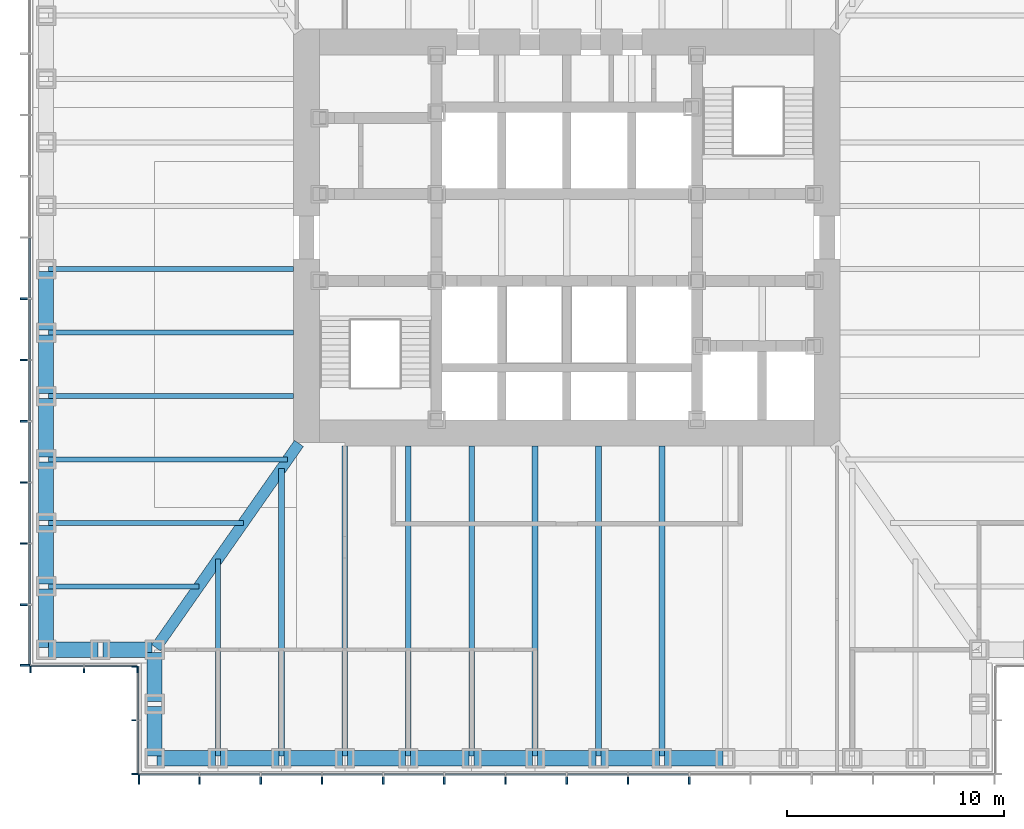
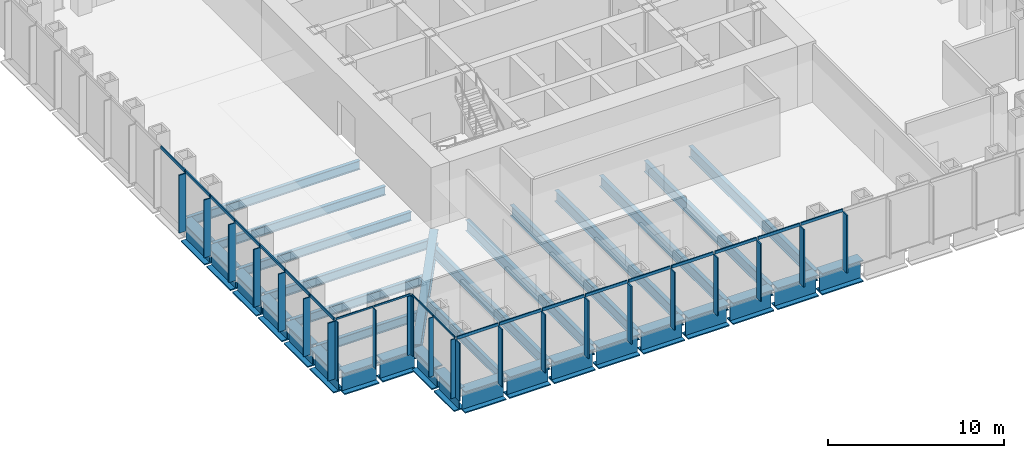
# One storey, part 2 of 16: 43 members, 34 beams, 4 elements without a shape of their own.
"""IFC4 building model written with IfcOpenShell, lengths in metres."""

import ifcopenshell
import ifcopenshell.guid

model = None  # the IFC model being written
_history = None  # IfcOwnerHistory: only IFC2X3 demands one
_inside = {}  # id of a spatial element -> (the spatial element, [elements in it])
_under = {}  # id of a project, library or spatial element -> (it, [spatial elements below it])
_declared = {}  # id of a project -> (the project, [libraries it declares])
_typed = {}  # id of a type object -> (the type object, [elements of that type])
_made_of = {}  # id of a material, layer set ... -> (it, [elements and type objects made of it])


def new_model(schema):
    """Start an empty IFC model of exactly this schema.

    Asked for "IFC4X3", IfcOpenShell would pick the latest addendum, in which some entities
    have other attributes; the version numbers below select the first issue.
    IFC2X3 requires an IfcOwnerHistory on every rooted entity: one is made here for all.
    """
    global model, _history
    if schema == "IFC4X3":
        model = ifcopenshell.file(schema_version=(4, 3, 0, 0))
    else:
        model = ifcopenshell.file(schema=schema)
    _inside.clear()
    _under.clear()
    _declared.clear()
    _typed.clear()
    _made_of.clear()
    _history = None
    if model.schema == "IFC2X3":
        org = make("IfcOrganization", Name="unknown")
        user = make(
            "IfcPersonAndOrganization",
            ThePerson=make("IfcPerson", FamilyName="unknown"),
            TheOrganization=org,
        )
        app = make(
            "IfcApplication",
            ApplicationDeveloper=org,
            Version="unknown",
            ApplicationFullName="unknown",
            ApplicationIdentifier="unknown",
        )
        _history = make(
            "IfcOwnerHistory",
            OwningUser=user,
            OwningApplication=app,
            ChangeAction="ADDED",
            CreationDate=0,
        )
    return model


def make(cls, **values):
    """One entity of the class cls with the attributes given. An attribute that is None is left unset."""
    return model.create_entity(
        cls, **{name: value for name, value in values.items() if value is not None}
    )


def rooted(cls, **values):
    """An entity with a GlobalId (a new one), such as an element, a storey or a relation."""
    return make(cls, GlobalId=ifcopenshell.guid.new(), OwnerHistory=_history, **values)


def si_unit(unit_type, name, prefix=None):
    """IfcSIUnit, for example si_unit("LENGTHUNIT", "METRE", prefix="MILLI")."""
    return make("IfcSIUnit", UnitType=unit_type, Prefix=prefix, Name=name)


def assignment(units):
    """IfcUnitAssignment: the units of a project."""
    return None if units is None else make("IfcUnitAssignment", Units=units)


def point(xyz):
    """IfcCartesianPoint."""
    return None if xyz is None else make("IfcCartesianPoint", Coordinates=xyz)


def direction(xyz):
    """IfcDirection."""
    return None if xyz is None else make("IfcDirection", DirectionRatios=xyz)


def frame(location, z_axis=None, x_axis=None):
    """IfcAxis2Placement3D, a coordinate frame: its origin and axes. An axis left out is left unset."""
    return make(
        "IfcAxis2Placement3D",
        Location=point(location),
        Axis=direction(z_axis),
        RefDirection=direction(x_axis),
    )


def frame_2d(location, x_axis=None):
    """IfcAxis2Placement2D, a coordinate frame in the plane: its origin and x axis."""
    return make(
        "IfcAxis2Placement2D", Location=point(location), RefDirection=direction(x_axis)
    )


def origin():
    """The frame at (0, 0, 0) with its axes left unset."""
    return frame((0.0, 0.0, 0.0))


def origin_2d():
    """The frame at (0, 0) in the plane with its x axis left unset."""
    return frame_2d((0.0, 0.0))


def place(relative_to, where):
    """IfcLocalPlacement: puts the frame where relative to a parent placement (None: the world)."""
    return make(
        "IfcLocalPlacement", PlacementRelTo=relative_to, RelativePlacement=where
    )


def context(
    kind, dimensions, precision=None, world=None, true_north=None, identifier=None
):
    """IfcGeometricRepresentationContext, for example the 3D "Model" context."""
    return make(
        "IfcGeometricRepresentationContext",
        ContextIdentifier=identifier,
        ContextType=kind,
        CoordinateSpaceDimension=dimensions,
        Precision=precision,
        WorldCoordinateSystem=world,
        TrueNorth=true_north,
    )


def subcontext(parent, identifier, kind, view, scale=None):
    """IfcGeometricRepresentationSubContext, for example "Body" below "Model"."""
    return make(
        "IfcGeometricRepresentationSubContext",
        ContextIdentifier=identifier,
        ContextType=kind,
        ParentContext=parent,
        TargetScale=scale,
        TargetView=view,
    )


def project(units=None, contexts=None):
    """IfcProject with its units and contexts."""
    return rooted(
        "IfcProject",
        Name="project",
        RepresentationContexts=contexts,
        UnitsInContext=assignment(units),
    )


def spatial(cls, under=None, at=None, **own):
    """A site, building, storey or space (cls), placed at a placement, below another one or the project."""
    s = rooted(cls, ObjectPlacement=at, **own)
    if under is not None:
        _under.setdefault(under.id(), (under, []))[1].append(s)
    return s


def profile(cls, at=None, kind="AREA", **sizes):
    """A parametric profile (cls). Its sizes go by their IFC names, for example OverallWidth=200.0."""
    return make(cls, ProfileType=kind, Position=at, **sizes)


def rectangle(**sizes):
    """IfcRectangleProfileDef."""
    return profile("IfcRectangleProfileDef", **sizes)


def i_section(**sizes):
    """IfcIShapeProfileDef."""
    return profile("IfcIShapeProfileDef", **sizes)


def extrude(swept, where, along, depth):
    """IfcExtrudedAreaSolid: the profile swept, set in the frame where, extruded along a direction by depth."""
    return make(
        "IfcExtrudedAreaSolid",
        SweptArea=swept,
        Position=where,
        ExtrudedDirection=direction(along),
        Depth=depth,
    )


def shape(context_of_items, identifier, shape_type, items):
    """IfcShapeRepresentation: the items that make up one representation, for example the "Body"."""
    return make(
        "IfcShapeRepresentation",
        ContextOfItems=context_of_items,
        RepresentationIdentifier=identifier,
        RepresentationType=shape_type,
        Items=items,
    )


def material(Name=None, Category=None):
    """IfcMaterial."""
    return make("IfcMaterial", Name=Name, Category=Category)


def material_profile(
    of_material, cross_section, Name=None, Category=None, Priority=None
):
    """IfcMaterialProfile: a cross section and its material."""
    return make(
        "IfcMaterialProfile",
        Name=Name,
        Material=of_material,
        Profile=cross_section,
        Priority=Priority,
        Category=Category,
    )


def profile_set(profiles, Name=None, composite=None):
    """IfcMaterialProfileSet."""
    return make(
        "IfcMaterialProfileSet",
        Name=Name,
        MaterialProfiles=profiles,
        CompositeProfile=composite,
    )


def made_of(thing, what):
    """Note that an element or type object is made of a material, layer set ...; save() writes the relation."""
    if what is not None:
        _made_of.setdefault(what.id(), (what, []))[1].append(thing)
    return thing


def type_object(cls, material=None, **own):
    """A type object (cls), such as IfcWallType, which elements share."""
    return made_of(rooted(cls, **own), material)


def element(
    cls,
    number,
    at=None,
    inside=None,
    cuts=None,
    type_object=None,
    material=None,
    context=None,
    identifier="Body",
    shape_type=None,
    held_by="IfcProductDefinitionShape",
    body=None,
    shapes=None,
    **own,
):
    """One element of the class cls, such as IfcWall. Its Tag is "e" and its number.

    at: its placement. inside: the storey or other place that contains it. cuts: it is an
    opening in that element (IfcRelVoidsElement). A single representation is given by context,
    identifier, shape_type and body (its items); several are given by shapes. held_by: the class
    of the entity that holds the representations. save() writes the other relations.
    """
    e = rooted(cls, Tag="e%d" % number, ObjectPlacement=at, **own)
    if body is not None:
        shapes = [shape(context, identifier, shape_type, body)]
    if shapes is not None:
        e.Representation = make(held_by, Representations=shapes)
    if inside is not None:
        _inside.setdefault(inside.id(), (inside, []))[1].append(e)
    if cuts is not None:
        rooted(
            "IfcRelVoidsElement", RelatingBuildingElement=cuts, RelatedOpeningElement=e
        )
    if type_object is not None:
        _typed.setdefault(type_object.id(), (type_object, []))[1].append(e)
    return made_of(e, material)


def aggregate(whole, parts):
    """IfcRelAggregates: a whole, such as a stair, and the parts it consists of."""
    return rooted("IfcRelAggregates", RelatingObject=whole, RelatedObjects=parts)


def save(model, path):
    """Write the relations noted so far, then the file.

    IfcRelAggregates (storeys below a building ...), IfcRelContainedInSpatialStructure (elements
    in a storey), IfcRelDefinesByType, IfcRelAssociatesMaterial and IfcRelDeclares: one each for
    every whole, place, type object, material and project.
    """
    for whole, parts in _under.values():
        aggregate(whole, parts)
    for where, things in _inside.values():
        rooted(
            "IfcRelContainedInSpatialStructure",
            RelatedElements=things,
            RelatingStructure=where,
        )
    for kind, things in _typed.values():
        rooted("IfcRelDefinesByType", RelatedObjects=things, RelatingType=kind)
    for what, things in _made_of.values():
        rooted("IfcRelAssociatesMaterial", RelatedObjects=things, RelatingMaterial=what)
    for by, libraries in _declared.values():
        rooted("IfcRelDeclares", RelatingContext=by, RelatedDefinitions=libraries)
    model.write(path)


model = new_model("IFC4")

# Units and contexts
model_context = context("Model", 3, precision=1e-05, world=origin(), true_north=direction((0.0, 1.0)))
body_context = subcontext(model_context, "Body", "Model", "MODEL_VIEW")
ifc_project = project(units=[si_unit("LENGTHUNIT", "METRE"), si_unit("AREAUNIT", "SQUARE_METRE"), si_unit("VOLUMEUNIT", "CUBIC_METRE"), si_unit("PLANEANGLEUNIT", "RADIAN"), si_unit("MASSUNIT", "GRAM", prefix="KILO")], contexts=[model_context])

# Site, building, storey
site_placement = place(None, origin())
site = spatial("IfcSite", under=ifc_project, at=site_placement, CompositionType="ELEMENT")
building_placement = place(site_placement, origin())
building = spatial("IfcBuilding", under=site, at=building_placement, Name="Daluyong Arena Tower", CompositionType="ELEMENT")
storey_placement = place(building_placement, frame((0.0, 0.0, 93.699951171875)))
storey = spatial("IfcBuildingStorey", under=building, at=storey_placement, Name="L20", CompositionType="ELEMENT", Elevation=93.699951171875)

# Curtain wall, members
ifc_material_1 = material(Name="Bronze anodised aluminium and glass", Category="aluminium")
curtain_wall_type_1 = type_object("IfcCurtainWallType", Name="Curtain wall CW1", PredefinedType="USERDEFINED", material=ifc_material_1)
curtain_wall_1_placement = place(storey_placement, origin())
curtain_wall_1 = element("IfcCurtainWall", 1, at=curtain_wall_1_placement, inside=storey, type_object=curtain_wall_type_1, Name="curtain wall L20 S", ObjectType="UNITISED CURTAIN WALL", PredefinedType="USERDEFINED")
ifc_material_2 = material(Name="Bronze anodised aluminium fin", Category="aluminium")
ifc_material_profile_1 = material_profile(ifc_material_2, rectangle(XDim=0.449951171875, YDim=0.080078125, at=origin_2d()))
ifc_profile_set_1 = profile_set([ifc_material_profile_1], Name="Bronze anodised aluminium fin")
member_type_1 = type_object("IfcMemberType", Name="CW1 bronze fin 450x80", PredefinedType="MULLION", material=ifc_profile_set_1)
member_1_placement = place(storey_placement, frame((36.2900390625, 55.02490234375, 0.0), z_axis=(0.0, 0.0, 1.0), x_axis=(0.0, 1.0, 0.0)))
member_1 = element("IfcMember", 2, at=member_1_placement, type_object=member_type_1, Name="curtain wall L20 S fin 1", PredefinedType="MULLION", context=body_context, shape_type="SweptSolid", body=[
    extrude(rectangle(XDim=0.449951171875, YDim=0.080078125, at=origin_2d()), origin(), (0.0, 0.0, 1.0), 4.0),
])
member_2_placement = place(storey_placement, frame((39.071533203125, 55.02490234375, 0.0), z_axis=(0.0, 0.0, 1.0), x_axis=(0.0, 1.0, 0.0)))
member_2 = element("IfcMember", 3, at=member_2_placement, type_object=member_type_1, Name="curtain wall L20 S fin 2", PredefinedType="MULLION", context=body_context, shape_type="SweptSolid", body=[
    extrude(rectangle(XDim=0.449951171875, YDim=0.080078125, at=origin_2d()), origin(), (0.0, 0.0, 1.0), 4.0),
])
member_3_placement = place(storey_placement, frame((41.892822265625, 55.02490234375, 0.0), z_axis=(0.0, 0.0, 1.0), x_axis=(0.0, 1.0, 0.0)))
member_3 = element("IfcMember", 4, at=member_3_placement, type_object=member_type_1, Name="curtain wall L20 S fin 3", PredefinedType="MULLION", context=body_context, shape_type="SweptSolid", body=[
    extrude(rectangle(XDim=0.449951171875, YDim=0.080078125, at=origin_2d()), origin(), (0.0, 0.0, 1.0), 4.0),
])
member_4_placement = place(storey_placement, frame((44.71435546875, 55.02490234375, 0.0), z_axis=(0.0, 0.0, 1.0), x_axis=(0.0, 1.0, 0.0)))
member_4 = element("IfcMember", 5, at=member_4_placement, type_object=member_type_1, Name="curtain wall L20 S fin 4", PredefinedType="MULLION", context=body_context, shape_type="SweptSolid", body=[
    extrude(rectangle(XDim=0.449951171875, YDim=0.080078125, at=origin_2d()), origin(), (0.0, 0.0, 1.0), 4.0),
])
member_5_placement = place(storey_placement, frame((47.53564453125, 55.02490234375, 0.0), z_axis=(0.0, 0.0, 1.0), x_axis=(0.0, 1.0, 0.0)))
member_5 = element("IfcMember", 6, at=member_5_placement, type_object=member_type_1, Name="curtain wall L20 S fin 5", PredefinedType="MULLION", context=body_context, shape_type="SweptSolid", body=[
    extrude(rectangle(XDim=0.449951171875, YDim=0.080078125, at=origin_2d()), origin(), (0.0, 0.0, 1.0), 4.0),
])
member_6_placement = place(storey_placement, frame((50.357177734375, 55.02490234375, 0.0), z_axis=(0.0, 0.0, 1.0), x_axis=(0.0, 1.0, 0.0)))
member_6 = element("IfcMember", 7, at=member_6_placement, type_object=member_type_1, Name="curtain wall L20 S fin 6", PredefinedType="MULLION", context=body_context, shape_type="SweptSolid", body=[
    extrude(rectangle(XDim=0.449951171875, YDim=0.080078125, at=origin_2d()), origin(), (0.0, 0.0, 1.0), 4.0),
])
member_7_placement = place(storey_placement, frame((53.178466796875, 55.02490234375, 0.0), z_axis=(0.0, 0.0, 1.0), x_axis=(0.0, 1.0, 0.0)))
member_7 = element("IfcMember", 8, at=member_7_placement, type_object=member_type_1, Name="curtain wall L20 S fin 7", PredefinedType="MULLION", context=body_context, shape_type="SweptSolid", body=[
    extrude(rectangle(XDim=0.449951171875, YDim=0.080078125, at=origin_2d()), origin(), (0.0, 0.0, 1.0), 4.0),
])
member_8_placement = place(storey_placement, frame((56.0, 55.02490234375, 0.0), z_axis=(0.0, 0.0, 1.0), x_axis=(0.0, 1.0, 0.0)))
member_8 = element("IfcMember", 9, at=member_8_placement, type_object=member_type_1, Name="curtain wall L20 S fin 8", PredefinedType="MULLION", context=body_context, shape_type="SweptSolid", body=[
    extrude(rectangle(XDim=0.449951171875, YDim=0.080078125, at=origin_2d()), origin(), (0.0, 0.0, 1.0), 4.0),
])
member_9_placement = place(storey_placement, frame((58.821533203125, 55.02490234375, 0.0), z_axis=(0.0, 0.0, 1.0), x_axis=(0.0, 1.0, 0.0)))
member_9 = element("IfcMember", 10, at=member_9_placement, type_object=member_type_1, Name="curtain wall L20 S fin 9", PredefinedType="MULLION", context=body_context, shape_type="SweptSolid", body=[
    extrude(rectangle(XDim=0.449951171875, YDim=0.080078125, at=origin_2d()), origin(), (0.0, 0.0, 1.0), 4.0),
])
member_10_placement = place(storey_placement, frame((61.642822265625, 55.02490234375, 0.0), z_axis=(0.0, 0.0, 1.0), x_axis=(0.0, 1.0, 0.0)))
member_10 = element("IfcMember", 11, at=member_10_placement, type_object=member_type_1, Name="curtain wall L20 S fin 10", PredefinedType="MULLION", context=body_context, shape_type="SweptSolid", body=[
    extrude(rectangle(XDim=0.449951171875, YDim=0.080078125, at=origin_2d()), origin(), (0.0, 0.0, 1.0), 4.0),
])

curtain_wall_2_placement = place(storey_placement, origin())
curtain_wall_2 = element("IfcCurtainWall", 12, at=curtain_wall_2_placement, inside=storey, type_object=curtain_wall_type_1, Name="curtain wall L20 W", ObjectType="UNITISED CURTAIN WALL", PredefinedType="USERDEFINED")
member_11_placement = place(storey_placement, frame((31.02490234375, 77.178466796875, 0.0), z_axis=(0.0, 0.0, 1.0), x_axis=(1.0, 0.0, 0.0)))
member_11 = element("IfcMember", 13, at=member_11_placement, type_object=member_type_1, Name="curtain wall L20 W fin 9", PredefinedType="MULLION", context=body_context, shape_type="SweptSolid", body=[
    extrude(rectangle(XDim=0.449951171875, YDim=0.080078125, at=origin_2d()), origin(), (0.0, 0.0, 1.0), 4.0),
])
member_12_placement = place(storey_placement, frame((31.02490234375, 74.357177734375, 0.0), z_axis=(0.0, 0.0, 1.0), x_axis=(1.0, 0.0, 0.0)))
member_12 = element("IfcMember", 14, at=member_12_placement, type_object=member_type_1, Name="curtain wall L20 W fin 10", PredefinedType="MULLION", context=body_context, shape_type="SweptSolid", body=[
    extrude(rectangle(XDim=0.449951171875, YDim=0.080078125, at=origin_2d()), origin(), (0.0, 0.0, 1.0), 4.0),
])
member_13_placement = place(storey_placement, frame((31.02490234375, 71.53564453125, 0.0), z_axis=(0.0, 0.0, 1.0), x_axis=(1.0, 0.0, 0.0)))
member_13 = element("IfcMember", 15, at=member_13_placement, type_object=member_type_1, Name="curtain wall L20 W fin 11", PredefinedType="MULLION", context=body_context, shape_type="SweptSolid", body=[
    extrude(rectangle(XDim=0.449951171875, YDim=0.080078125, at=origin_2d()), origin(), (0.0, 0.0, 1.0), 4.0),
])
member_14_placement = place(storey_placement, frame((31.02490234375, 68.71435546875, 0.0), z_axis=(0.0, 0.0, 1.0), x_axis=(1.0, 0.0, 0.0)))
member_14 = element("IfcMember", 16, at=member_14_placement, type_object=member_type_1, Name="curtain wall L20 W fin 12", PredefinedType="MULLION", context=body_context, shape_type="SweptSolid", body=[
    extrude(rectangle(XDim=0.449951171875, YDim=0.080078125, at=origin_2d()), origin(), (0.0, 0.0, 1.0), 4.0),
])
member_15_placement = place(storey_placement, frame((31.02490234375, 65.892822265625, 0.0), z_axis=(0.0, 0.0, 1.0), x_axis=(1.0, 0.0, 0.0)))
member_15 = element("IfcMember", 17, at=member_15_placement, type_object=member_type_1, Name="curtain wall L20 W fin 13", PredefinedType="MULLION", context=body_context, shape_type="SweptSolid", body=[
    extrude(rectangle(XDim=0.449951171875, YDim=0.080078125, at=origin_2d()), origin(), (0.0, 0.0, 1.0), 4.0),
])
member_16_placement = place(storey_placement, frame((31.02490234375, 63.071533203125, 0.0), z_axis=(0.0, 0.0, 1.0), x_axis=(1.0, 0.0, 0.0)))
member_16 = element("IfcMember", 18, at=member_16_placement, type_object=member_type_1, Name="curtain wall L20 W fin 14", PredefinedType="MULLION", context=body_context, shape_type="SweptSolid", body=[
    extrude(rectangle(XDim=0.449951171875, YDim=0.080078125, at=origin_2d()), origin(), (0.0, 0.0, 1.0), 4.0),
])
member_17_placement = place(storey_placement, frame((31.02490234375, 60.2900390625, 0.0), z_axis=(0.0, 0.0, 1.0), x_axis=(1.0, 0.0, 0.0)))
member_17 = element("IfcMember", 19, at=member_17_placement, type_object=member_type_1, Name="curtain wall L20 W fin 15", PredefinedType="MULLION", context=body_context, shape_type="SweptSolid", body=[
    extrude(rectangle(XDim=0.449951171875, YDim=0.080078125, at=origin_2d()), origin(), (0.0, 0.0, 1.0), 4.0),
])

# Member
ifc_material_3 = material(Name="Bronze anodised aluminium", Category="aluminium")
ifc_material_profile_2 = material_profile(ifc_material_3, rectangle(XDim=0.080078125, YDim=0.199951171875, at=origin_2d()))
ifc_profile_set_2 = profile_set([ifc_material_profile_2], Name="Bronze anodised aluminium")
member_type_2 = type_object("IfcMemberType", Name="CW1 stack transom 200x80", PredefinedType="USERDEFINED", material=ifc_profile_set_2)
member_18_placement = place(storey_placement, frame((36.330078125, 55.25, 4.10009765625), z_axis=(1.0, 0.0, 0.0), x_axis=(0.0, 1.0, 0.0)))
member_18 = element("IfcMember", 20, at=member_18_placement, type_object=member_type_2, Name="curtain wall L20 S transom 1", ObjectType="TRANSOM", PredefinedType="USERDEFINED", context=body_context, shape_type="SweptSolid", body=[
    extrude(rectangle(XDim=0.080078125, YDim=0.199951171875, at=origin_2d()), origin(), (0.0, 0.0, 1.0), 2.701416015625),
])

member_19_placement = place(storey_placement, frame((39.111328125, 55.25, 4.10009765625), z_axis=(1.0, 0.0, 0.0), x_axis=(0.0, 1.0, 0.0)))
member_19 = element("IfcMember", 21, at=member_19_placement, type_object=member_type_2, Name="curtain wall L20 S transom 2", ObjectType="TRANSOM", PredefinedType="USERDEFINED", context=body_context, shape_type="SweptSolid", body=[
    extrude(rectangle(XDim=0.080078125, YDim=0.199951171875, at=origin_2d()), origin(), (0.0, 0.0, 1.0), 2.741455078125),
])

member_20_placement = place(storey_placement, frame((41.932861328125, 55.25, 4.10009765625), z_axis=(1.0, 0.0, 0.0), x_axis=(0.0, 1.0, 0.0)))
member_20 = element("IfcMember", 22, at=member_20_placement, type_object=member_type_2, Name="curtain wall L20 S transom 3", ObjectType="TRANSOM", PredefinedType="USERDEFINED", context=body_context, shape_type="SweptSolid", body=[
    extrude(rectangle(XDim=0.080078125, YDim=0.199951171875, at=origin_2d()), origin(), (0.0, 0.0, 1.0), 2.741455078125),
])

member_21_placement = place(storey_placement, frame((44.75439453125, 55.25, 4.10009765625), z_axis=(1.0, 0.0, 0.0), x_axis=(0.0, 1.0, 0.0)))
member_21 = element("IfcMember", 23, at=member_21_placement, type_object=member_type_2, Name="curtain wall L20 S transom 4", ObjectType="TRANSOM", PredefinedType="USERDEFINED", context=body_context, shape_type="SweptSolid", body=[
    extrude(rectangle(XDim=0.080078125, YDim=0.199951171875, at=origin_2d()), origin(), (0.0, 0.0, 1.0), 2.7412109375),
])

member_22_placement = place(storey_placement, frame((47.57568359375, 55.25, 4.10009765625), z_axis=(1.0, 0.0, 0.0), x_axis=(0.0, 1.0, 0.0)))
member_22 = element("IfcMember", 24, at=member_22_placement, type_object=member_type_2, Name="curtain wall L20 S transom 5", ObjectType="TRANSOM", PredefinedType="USERDEFINED", context=body_context, shape_type="SweptSolid", body=[
    extrude(rectangle(XDim=0.080078125, YDim=0.199951171875, at=origin_2d()), origin(), (0.0, 0.0, 1.0), 2.741455078125),
])

member_23_placement = place(storey_placement, frame((50.397216796875, 55.25, 4.10009765625), z_axis=(1.0, 0.0, 0.0), x_axis=(0.0, 1.0, 0.0)))
member_23 = element("IfcMember", 25, at=member_23_placement, type_object=member_type_2, Name="curtain wall L20 S transom 6", ObjectType="TRANSOM", PredefinedType="USERDEFINED", context=body_context, shape_type="SweptSolid", body=[
    extrude(rectangle(XDim=0.080078125, YDim=0.199951171875, at=origin_2d()), origin(), (0.0, 0.0, 1.0), 2.741455078125),
])

member_24_placement = place(storey_placement, frame((53.218505859375, 55.25, 4.10009765625), z_axis=(1.0, 0.0, 0.0), x_axis=(0.0, 1.0, 0.0)))
member_24 = element("IfcMember", 26, at=member_24_placement, type_object=member_type_2, Name="curtain wall L20 S transom 7", ObjectType="TRANSOM", PredefinedType="USERDEFINED", context=body_context, shape_type="SweptSolid", body=[
    extrude(rectangle(XDim=0.080078125, YDim=0.199951171875, at=origin_2d()), origin(), (0.0, 0.0, 1.0), 2.741455078125),
])

member_25_placement = place(storey_placement, frame((56.0400390625, 55.25, 4.10009765625), z_axis=(1.0, 0.0, 0.0), x_axis=(0.0, 1.0, 0.0)))
member_25 = element("IfcMember", 27, at=member_25_placement, type_object=member_type_2, Name="curtain wall L20 S transom 8", ObjectType="TRANSOM", PredefinedType="USERDEFINED", context=body_context, shape_type="SweptSolid", body=[
    extrude(rectangle(XDim=0.080078125, YDim=0.199951171875, at=origin_2d()), origin(), (0.0, 0.0, 1.0), 2.741455078125),
])

member_26_placement = place(storey_placement, frame((58.861328125, 55.25, 4.10009765625), z_axis=(1.0, 0.0, 0.0), x_axis=(0.0, 1.0, 0.0)))
member_26 = element("IfcMember", 28, at=member_26_placement, type_object=member_type_2, Name="curtain wall L20 S transom 9", ObjectType="TRANSOM", PredefinedType="USERDEFINED", context=body_context, shape_type="SweptSolid", body=[
    extrude(rectangle(XDim=0.080078125, YDim=0.199951171875, at=origin_2d()), origin(), (0.0, 0.0, 1.0), 2.741455078125),
])

aggregate(curtain_wall_1, [member_1, member_2, member_3, member_4, member_5, member_6, member_7, member_8, member_9, member_10, member_18, member_19, member_20, member_21, member_22, member_23, member_24, member_25, member_26])

member_27_placement = place(storey_placement, frame((31.25, 79.9599609375, 4.10009765625), z_axis=(0.0, -1.0, 0.0), x_axis=(1.0, 0.0, 0.0)))
member_27 = element("IfcMember", 29, at=member_27_placement, type_object=member_type_2, Name="curtain wall L20 W transom 8", ObjectType="TRANSOM", PredefinedType="USERDEFINED", context=body_context, shape_type="SweptSolid", body=[
    extrude(rectangle(XDim=0.080078125, YDim=0.199951171875, at=origin_2d()), origin(), (0.0, 0.0, 1.0), 2.741455078125),
])

member_28_placement = place(storey_placement, frame((31.25, 77.138671875, 4.10009765625), z_axis=(0.0, -1.0, 0.0), x_axis=(1.0, 0.0, 0.0)))
member_28 = element("IfcMember", 30, at=member_28_placement, type_object=member_type_2, Name="curtain wall L20 W transom 9", ObjectType="TRANSOM", PredefinedType="USERDEFINED", context=body_context, shape_type="SweptSolid", body=[
    extrude(rectangle(XDim=0.080078125, YDim=0.199951171875, at=origin_2d()), origin(), (0.0, 0.0, 1.0), 2.741455078125),
])

member_29_placement = place(storey_placement, frame((31.25, 74.317138671875, 4.10009765625), z_axis=(0.0, -1.0, 0.0), x_axis=(1.0, 0.0, 0.0)))
member_29 = element("IfcMember", 31, at=member_29_placement, type_object=member_type_2, Name="curtain wall L20 W transom 10", ObjectType="TRANSOM", PredefinedType="USERDEFINED", context=body_context, shape_type="SweptSolid", body=[
    extrude(rectangle(XDim=0.080078125, YDim=0.199951171875, at=origin_2d()), origin(), (0.0, 0.0, 1.0), 2.741455078125),
])

member_30_placement = place(storey_placement, frame((31.25, 71.49560546875, 4.10009765625), z_axis=(0.0, -1.0, 0.0), x_axis=(1.0, 0.0, 0.0)))
member_30 = element("IfcMember", 32, at=member_30_placement, type_object=member_type_2, Name="curtain wall L20 W transom 11", ObjectType="TRANSOM", PredefinedType="USERDEFINED", context=body_context, shape_type="SweptSolid", body=[
    extrude(rectangle(XDim=0.080078125, YDim=0.199951171875, at=origin_2d()), origin(), (0.0, 0.0, 1.0), 2.7412109375),
])

member_31_placement = place(storey_placement, frame((31.25, 68.67431640625, 4.10009765625), z_axis=(0.0, -1.0, 0.0), x_axis=(1.0, 0.0, 0.0)))
member_31 = element("IfcMember", 33, at=member_31_placement, type_object=member_type_2, Name="curtain wall L20 W transom 12", ObjectType="TRANSOM", PredefinedType="USERDEFINED", context=body_context, shape_type="SweptSolid", body=[
    extrude(rectangle(XDim=0.080078125, YDim=0.199951171875, at=origin_2d()), origin(), (0.0, 0.0, 1.0), 2.741455078125),
])

member_32_placement = place(storey_placement, frame((31.25, 65.852783203125, 4.10009765625), z_axis=(0.0, -1.0, 0.0), x_axis=(1.0, 0.0, 0.0)))
member_32 = element("IfcMember", 34, at=member_32_placement, type_object=member_type_2, Name="curtain wall L20 W transom 13", ObjectType="TRANSOM", PredefinedType="USERDEFINED", context=body_context, shape_type="SweptSolid", body=[
    extrude(rectangle(XDim=0.080078125, YDim=0.199951171875, at=origin_2d()), origin(), (0.0, 0.0, 1.0), 2.741455078125),
])

member_33_placement = place(storey_placement, frame((31.25, 63.031494140625, 4.10009765625), z_axis=(0.0, -1.0, 0.0), x_axis=(1.0, 0.0, 0.0)))
member_33 = element("IfcMember", 35, at=member_33_placement, type_object=member_type_2, Name="curtain wall L20 W transom 14", ObjectType="TRANSOM", PredefinedType="USERDEFINED", context=body_context, shape_type="SweptSolid", body=[
    extrude(rectangle(XDim=0.080078125, YDim=0.199951171875, at=origin_2d()), origin(), (0.0, 0.0, 1.0), 2.701416015625),
])

aggregate(curtain_wall_2, [member_11, member_12, member_13, member_14, member_15, member_16, member_17, member_27, member_28, member_29, member_30, member_31, member_32, member_33])

# Curtain wall, members
ifc_material_4 = material(Name="Bronze anodised aluminium and glass", Category="aluminium")
curtain_wall_type_2 = type_object("IfcCurtainWallType", Name="Curtain wall CW7", PredefinedType="USERDEFINED", material=ifc_material_4)
curtain_wall_3_placement = place(storey_placement, origin())
curtain_wall_3 = element("IfcCurtainWall", 36, at=curtain_wall_3_placement, inside=storey, type_object=curtain_wall_type_2, Name="curtain wall L20 SW-S", ObjectType="UNITISED CURTAIN WALL", PredefinedType="USERDEFINED")
ifc_material_5 = material(Name="Bronze anodised aluminium fin", Category="aluminium")
ifc_material_profile_3 = material_profile(ifc_material_5, rectangle(XDim=0.300048828125, YDim=0.06005859375, at=origin_2d()))
ifc_profile_set_3 = profile_set([ifc_material_profile_3], Name="Bronze anodised aluminium fin")
member_type_3 = type_object("IfcMemberType", Name="CW7 bronze fin 300x60", PredefinedType="MULLION", material=ifc_profile_set_3)
member_34_placement = place(storey_placement, frame((31.280029296875, 60.10009765625, 0.0), z_axis=(0.0, 0.0, 1.0), x_axis=(0.0, 1.0, 0.0)))
member_34 = element("IfcMember", 37, at=member_34_placement, type_object=member_type_3, Name="curtain wall L20 SW-S fin 1", PredefinedType="MULLION", context=body_context, shape_type="SweptSolid", body=[
    extrude(rectangle(XDim=0.300048828125, YDim=0.06005859375, at=origin_2d()), origin(), (0.0, 0.0, 1.0), 4.080078125),
])
member_35_placement = place(storey_placement, frame((33.75, 60.10009765625, 0.0), z_axis=(0.0, 0.0, 1.0), x_axis=(0.0, 1.0, 0.0)))
member_35 = element("IfcMember", 38, at=member_35_placement, type_object=member_type_3, Name="curtain wall L20 SW-S fin 2", PredefinedType="MULLION", context=body_context, shape_type="SweptSolid", body=[
    extrude(rectangle(XDim=0.300048828125, YDim=0.06005859375, at=origin_2d()), origin(), (0.0, 0.0, 1.0), 4.080078125),
])
member_36_placement = place(storey_placement, frame((36.219970703125, 60.10009765625, 0.0), z_axis=(0.0, 0.0, 1.0), x_axis=(0.0, 1.0, 0.0)))
member_36 = element("IfcMember", 39, at=member_36_placement, type_object=member_type_3, Name="curtain wall L20 SW-S fin 3", PredefinedType="MULLION", context=body_context, shape_type="SweptSolid", body=[
    extrude(rectangle(XDim=0.300048828125, YDim=0.06005859375, at=origin_2d()), origin(), (0.0, 0.0, 1.0), 4.080078125),
])

curtain_wall_4_placement = place(storey_placement, origin())
curtain_wall_4 = element("IfcCurtainWall", 40, at=curtain_wall_4_placement, inside=storey, type_object=curtain_wall_type_2, Name="curtain wall L20 SW-W", ObjectType="UNITISED CURTAIN WALL", PredefinedType="USERDEFINED")
member_37_placement = place(storey_placement, frame((36.10009765625, 60.219970703125, 0.0), z_axis=(0.0, 0.0, 1.0), x_axis=(1.0, 0.0, 0.0)))
member_37 = element("IfcMember", 41, at=member_37_placement, type_object=member_type_3, Name="curtain wall L20 SW-W fin 1", PredefinedType="MULLION", context=body_context, shape_type="SweptSolid", body=[
    extrude(rectangle(XDim=0.300048828125, YDim=0.06005859375, at=origin_2d()), origin(), (0.0, 0.0, 1.0), 4.080078125),
])
member_38_placement = place(storey_placement, frame((36.10009765625, 57.75, 0.0), z_axis=(0.0, 0.0, 1.0), x_axis=(1.0, 0.0, 0.0)))
member_38 = element("IfcMember", 42, at=member_38_placement, type_object=member_type_3, Name="curtain wall L20 SW-W fin 2", PredefinedType="MULLION", context=body_context, shape_type="SweptSolid", body=[
    extrude(rectangle(XDim=0.300048828125, YDim=0.06005859375, at=origin_2d()), origin(), (0.0, 0.0, 1.0), 4.080078125),
])
member_39_placement = place(storey_placement, frame((36.10009765625, 55.280029296875, 0.0), z_axis=(0.0, 0.0, 1.0), x_axis=(1.0, 0.0, 0.0)))
member_39 = element("IfcMember", 43, at=member_39_placement, type_object=member_type_3, Name="curtain wall L20 SW-W fin 3", PredefinedType="MULLION", context=body_context, shape_type="SweptSolid", body=[
    extrude(rectangle(XDim=0.300048828125, YDim=0.06005859375, at=origin_2d()), origin(), (0.0, 0.0, 1.0), 4.080078125),
])

# Member
ifc_material_6 = material(Name="Bronze anodised aluminium", Category="aluminium")
ifc_material_profile_4 = material_profile(ifc_material_6, rectangle(XDim=0.06005859375, YDim=0.1201171875, at=origin_2d()))
ifc_profile_set_4 = profile_set([ifc_material_profile_4], Name="Bronze anodised aluminium")
member_type_4 = type_object("IfcMemberType", Name="CW7 stack transom 120x60", PredefinedType="USERDEFINED", material=ifc_profile_set_4)
member_40_placement = place(storey_placement, frame((31.31005859375, 60.25, 4.14013671875), z_axis=(1.0, 0.0, 0.0), x_axis=(0.0, 1.0, 0.0)))
member_40 = element("IfcMember", 44, at=member_40_placement, type_object=member_type_4, Name="curtain wall L20 SW-S transom 1", ObjectType="TRANSOM", PredefinedType="USERDEFINED", context=body_context, shape_type="SweptSolid", body=[
    extrude(rectangle(XDim=0.06005859375, YDim=0.1201171875, at=origin_2d()), origin(), (0.0, 0.0, 1.0), 2.409912109375),
])

member_41_placement = place(storey_placement, frame((33.780029296875, 60.25, 4.14013671875), z_axis=(1.0, 0.0, 0.0), x_axis=(0.0, 1.0, 0.0)))
member_41 = element("IfcMember", 45, at=member_41_placement, type_object=member_type_4, Name="curtain wall L20 SW-S transom 2", ObjectType="TRANSOM", PredefinedType="USERDEFINED", context=body_context, shape_type="SweptSolid", body=[
    extrude(rectangle(XDim=0.06005859375, YDim=0.1201171875, at=origin_2d()), origin(), (0.0, 0.0, 1.0), 2.409912109375),
])

aggregate(curtain_wall_3, [member_34, member_35, member_36, member_40, member_41])

member_42_placement = place(storey_placement, frame((36.25, 60.18994140625, 4.14013671875), z_axis=(0.0, -1.0, 0.0), x_axis=(1.0, 0.0, 0.0)))
member_42 = element("IfcMember", 46, at=member_42_placement, type_object=member_type_4, Name="curtain wall L20 SW-W transom 1", ObjectType="TRANSOM", PredefinedType="USERDEFINED", context=body_context, shape_type="SweptSolid", body=[
    extrude(rectangle(XDim=0.06005859375, YDim=0.1201171875, at=origin_2d()), origin(), (0.0, 0.0, 1.0), 2.409912109375),
])

member_43_placement = place(storey_placement, frame((36.25, 57.719970703125, 4.14013671875), z_axis=(0.0, -1.0, 0.0), x_axis=(1.0, 0.0, 0.0)))
member_43 = element("IfcMember", 47, at=member_43_placement, type_object=member_type_4, Name="curtain wall L20 SW-W transom 2", ObjectType="TRANSOM", PredefinedType="USERDEFINED", context=body_context, shape_type="SweptSolid", body=[
    extrude(rectangle(XDim=0.06005859375, YDim=0.1201171875, at=origin_2d()), origin(), (0.0, 0.0, 1.0), 2.409912109375),
])

aggregate(curtain_wall_4, [member_37, member_38, member_39, member_42, member_43])

# Beams
ifc_material_7 = material(Name="Steel ASTM A572 Grade 50", Category="steel")
ifc_material_profile_5 = material_profile(ifc_material_7, i_section(OverallWidth=0.5, OverallDepth=1.0, WebThickness=0.03, FlangeThickness=0.06, at=origin_2d()))
ifc_profile_set_5 = profile_set([ifc_material_profile_5], Name="Steel ASTM A572 Grade 50")
beam_type_1 = type_object("IfcBeamType", Name="Corner girder TB1000X500", PredefinedType="BEAM", material=ifc_profile_set_5)
beam_1_placement = place(storey_placement, frame((37.06591796875, 61.09423828125, -0.659912109375), z_axis=(0.573466621875, 0.819228926244, 0.0), x_axis=(-0.819228926244, 0.573466621875, 0.0)))
element("IfcBeam", 48, at=beam_1_placement, inside=storey, type_object=beam_type_1, Name="corner girder DG2", PredefinedType="BEAM", context=body_context, shape_type="SweptSolid", body=[
    extrude(i_section(OverallWidth=0.5, OverallDepth=1.0, WebThickness=0.03, FlangeThickness=0.06, at=origin_2d()), origin(), (0.0, 0.0, 1.0), 11.49169921875),
])
ifc_material_8 = material(Name="Steel ASTM A992 Grade 50", Category="steel")
ifc_material_profile_6 = material_profile(ifc_material_8, i_section(OverallWidth=0.22900390625, OverallDepth=0.612060546875, WebThickness=0.011962890625, FlangeThickness=0.01953125, at=origin_2d()))
ifc_profile_set_6 = profile_set([ifc_material_profile_6], Name="Steel ASTM A992 Grade 50")
beam_type_2 = type_object("IfcBeamType", Name="Floor beam W24X84", PredefinedType="BEAM", material=ifc_profile_set_6)
beam_2_placement = place(storey_placement, frame((39.923095703125, 56.114990234375, -0.466064453125), z_axis=(0.0, 1.0, 0.0), x_axis=(-1.0, 0.0, 0.0)))
element("IfcBeam", 49, at=beam_2_placement, inside=storey, type_object=beam_type_2, Name="floor beam FB3", PredefinedType="BEAM", context=body_context, shape_type="SweptSolid", body=[
    extrude(i_section(OverallWidth=0.22900390625, OverallDepth=0.612060546875, WebThickness=0.011962890625, FlangeThickness=0.01953125, at=origin_2d()), origin(), (0.0, 0.0, 1.0), 9.060791015625),
])
for number, where, z_axis, x_axis, name in (
    (50, (32.114990234375, 78.53857421875, -0.466064453125), (1.0, 0.0, 0.0), (0.0, 1.0, 0.0), "floor beam FB3"),
    (51, (32.114990234375, 75.615478515625, -0.466064453125), (1.0, 0.0, 0.0), (0.0, 1.0, 0.0), "floor beam FB3"),
    (52, (32.114990234375, 72.6923828125, -0.466064453125), (1.0, 0.0, 0.0), (0.0, 1.0, 0.0), "floor beam FB3"),
):
    element("IfcBeam", number, at=place(storey_placement, frame(where, z_axis=z_axis, x_axis=x_axis)), inside=storey, type_object=beam_type_2, Name=name, PredefinedType="BEAM", context=body_context, shape_type="SweptSolid", body=[
        extrude(i_section(OverallWidth=0.22900390625, OverallDepth=0.612060546875, WebThickness=0.011962890625, FlangeThickness=0.01953125, at=origin_2d()), origin(), (0.0, 0.0, 1.0), 11.284912109375),
    ])
beam_3_placement = place(storey_placement, frame((32.114990234375, 69.769287109375, -0.466064453125), z_axis=(1.0, 0.0, 0.0), x_axis=(0.0, 1.0, 0.0)))
element("IfcBeam", 53, at=beam_3_placement, inside=storey, type_object=beam_type_2, Name="floor beam FB3", PredefinedType="BEAM", context=body_context, shape_type="SweptSolid", body=[
    extrude(i_section(OverallWidth=0.22900390625, OverallDepth=0.612060546875, WebThickness=0.011962890625, FlangeThickness=0.01953125, at=origin_2d()), origin(), (0.0, 0.0, 1.0), 11.0234375),
])
beam_4_placement = place(storey_placement, frame((32.114990234375, 66.84619140625, -0.466064453125), z_axis=(1.0, 0.0, 0.0), x_axis=(0.0, 1.0, 0.0)))
element("IfcBeam", 54, at=beam_4_placement, inside=storey, type_object=beam_type_2, Name="floor beam FB3", PredefinedType="BEAM", context=body_context, shape_type="SweptSolid", body=[
    extrude(i_section(OverallWidth=0.22900390625, OverallDepth=0.612060546875, WebThickness=0.011962890625, FlangeThickness=0.01953125, at=origin_2d()), origin(), (0.0, 0.0, 1.0), 8.977294921875),
])
beam_5_placement = place(storey_placement, frame((32.114990234375, 63.923095703125, -0.466064453125), z_axis=(1.0, 0.0, 0.0), x_axis=(0.0, 1.0, 0.0)))
element("IfcBeam", 55, at=beam_5_placement, inside=storey, type_object=beam_type_2, Name="floor beam FB3", PredefinedType="BEAM", context=body_context, shape_type="SweptSolid", body=[
    extrude(i_section(OverallWidth=0.22900390625, OverallDepth=0.612060546875, WebThickness=0.011962890625, FlangeThickness=0.01953125, at=origin_2d()), origin(), (0.0, 0.0, 1.0), 6.93115234375),
])
ifc_material_9 = material(Name="Steel ASTM A992 Grade 50", Category="steel")
ifc_material_profile_7 = material_profile(ifc_material_9, i_section(OverallWidth=0.2666015625, OverallDepth=0.761962890625, WebThickness=0.014404296875, FlangeThickness=0.021484375, at=origin_2d()))
ifc_profile_set_7 = profile_set([ifc_material_profile_7], Name="Steel ASTM A992 Grade 50")
beam_type_3 = type_object("IfcBeamType", Name="Floor beam W30X116", PredefinedType="BEAM", material=ifc_profile_set_7)
beam_6_placement = place(storey_placement, frame((42.84619140625, 56.114990234375, -0.541015625), z_axis=(0.0, 1.0, 0.0), x_axis=(-1.0, 0.0, 0.0)))
element("IfcBeam", 56, at=beam_6_placement, inside=storey, type_object=beam_type_3, Name="floor beam FB4", PredefinedType="BEAM", context=body_context, shape_type="SweptSolid", body=[
    extrude(i_section(OverallWidth=0.2666015625, OverallDepth=0.761962890625, WebThickness=0.014404296875, FlangeThickness=0.021484375, at=origin_2d()), origin(), (0.0, 0.0, 1.0), 13.236572265625),
])
for number, where, z_axis, x_axis, name in (
    (57, (45.769287109375, 56.114990234375, -0.541015625), (0.0, 1.0, 0.0), (-1.0, 0.0, 0.0), "floor beam FB4"),
    (58, (48.6923828125, 56.114990234375, -0.541015625), (0.0, 1.0, 0.0), (-1.0, 0.0, 0.0), "floor beam FB4"),
    (59, (51.615478515625, 56.114990234375, -0.541015625), (0.0, 1.0, 0.0), (-1.0, 0.0, 0.0), "floor beam FB4"),
    (60, (54.53857421875, 56.114990234375, -0.541015625), (0.0, 1.0, 0.0), (-1.0, 0.0, 0.0), "floor beam FB4"),
    (61, (57.46142578125, 56.114990234375, -0.541015625), (0.0, 1.0, 0.0), (-1.0, 0.0, 0.0), "floor beam FB4"),
    (62, (60.384521484375, 56.114990234375, -0.541015625), (0.0, 1.0, 0.0), (-1.0, 0.0, 0.0), "floor beam FB4"),
):
    element("IfcBeam", number, at=place(storey_placement, frame(where, z_axis=z_axis, x_axis=x_axis)), inside=storey, type_object=beam_type_3, Name=name, PredefinedType="BEAM", context=body_context, shape_type="SweptSolid", body=[
        extrude(i_section(OverallWidth=0.2666015625, OverallDepth=0.761962890625, WebThickness=0.014404296875, FlangeThickness=0.021484375, at=origin_2d()), origin(), (0.0, 0.0, 1.0), 14.284912109375),
    ])
ifc_material_10 = material(Name="Steel ASTM A572 Grade 50", Category="steel")
ifc_material_profile_8 = material_profile(ifc_material_10, i_section(OverallWidth=0.699951171875, OverallDepth=1.5, WebThickness=0.04, FlangeThickness=0.08, at=origin_2d()))
ifc_profile_set_8 = profile_set([ifc_material_profile_8], Name="Steel ASTM A572 Grade 50")
beam_type_4 = type_object("IfcBeamType", Name="Spandrel Z1 PG1500X700", PredefinedType="SPANDREL", material=ifc_profile_set_8)
for number, where, z_axis, x_axis, name in (
    (63, (37.114990234375, 56.0, -0.909912109375), (1.0, 0.0, 0.0), (0.0, 1.0, 0.0), "spandrel z1 SB4"),
    (64, (40.0380859375, 56.0, -0.909912109375), (1.0, 0.0, 0.0), (0.0, 1.0, 0.0), "spandrel z1 SB4"),
    (65, (42.961181640625, 56.0, -0.909912109375), (1.0, 0.0, 0.0), (0.0, 1.0, 0.0), "spandrel z1 SB4"),
    (66, (45.88427734375, 56.0, -0.909912109375), (1.0, 0.0, 0.0), (0.0, 1.0, 0.0), "spandrel z1 SB4"),
    (67, (48.807373046875, 56.0, -0.909912109375), (1.0, 0.0, 0.0), (0.0, 1.0, 0.0), "spandrel z1 SB4"),
    (68, (51.73046875, 56.0, -0.909912109375), (1.0, 0.0, 0.0), (0.0, 1.0, 0.0), "spandrel z1 SB4"),
):
    element("IfcBeam", number, at=place(storey_placement, frame(where, z_axis=z_axis, x_axis=x_axis)), inside=storey, type_object=beam_type_4, Name=name, PredefinedType="SPANDREL", context=body_context, shape_type="SweptSolid", body=[
        extrude(i_section(OverallWidth=0.699951171875, OverallDepth=1.5, WebThickness=0.04, FlangeThickness=0.08, at=origin_2d()), origin(), (0.0, 0.0, 1.0), 2.693115234375),
    ])
beam_7_placement = place(storey_placement, frame((54.653564453125, 56.0, -0.909912109375), z_axis=(1.0, 0.0, 0.0), x_axis=(0.0, 1.0, 0.0)))
element("IfcBeam", 69, at=beam_7_placement, inside=storey, type_object=beam_type_4, Name="spandrel z1 SB4", PredefinedType="SPANDREL", context=body_context, shape_type="SweptSolid", body=[
    extrude(i_section(OverallWidth=0.699951171875, OverallDepth=1.5, WebThickness=0.04, FlangeThickness=0.08, at=origin_2d()), origin(), (0.0, 0.0, 1.0), 2.69287109375),
])
for number, where, z_axis, x_axis, name in (
    (70, (57.576416015625, 56.0, -0.909912109375), (1.0, 0.0, 0.0), (0.0, 1.0, 0.0), "spandrel z1 SB4"),
    (71, (60.49951171875, 56.0, -0.909912109375), (1.0, 0.0, 0.0), (0.0, 1.0, 0.0), "spandrel z1 SB4"),
    (72, (32.0, 78.423583984375, -0.909912109375), (0.0, -1.0, 0.0), (1.0, 0.0, 0.0), "spandrel z1 SB4"),
    (73, (32.0, 75.50048828125, -0.909912109375), (0.0, -1.0, 0.0), (1.0, 0.0, 0.0), "spandrel z1 SB4"),
    (74, (32.0, 72.577392578125, -0.909912109375), (0.0, -1.0, 0.0), (1.0, 0.0, 0.0), "spandrel z1 SB4"),
    (75, (32.0, 69.654296875, -0.909912109375), (0.0, -1.0, 0.0), (1.0, 0.0, 0.0), "spandrel z1 SB4"),
    (76, (32.0, 66.731201171875, -0.909912109375), (0.0, -1.0, 0.0), (1.0, 0.0, 0.0), "spandrel z1 SB4"),
    (77, (32.0, 63.80810546875, -0.909912109375), (0.0, -1.0, 0.0), (1.0, 0.0, 0.0), "spandrel z1 SB4"),
):
    element("IfcBeam", number, at=place(storey_placement, frame(where, z_axis=z_axis, x_axis=x_axis)), inside=storey, type_object=beam_type_4, Name=name, PredefinedType="SPANDREL", context=body_context, shape_type="SweptSolid", body=[
        extrude(i_section(OverallWidth=0.699951171875, OverallDepth=1.5, WebThickness=0.04, FlangeThickness=0.08, at=origin_2d()), origin(), (0.0, 0.0, 1.0), 2.693115234375),
    ])
for number, where, z_axis, x_axis, name in (
    (78, (32.114990234375, 61.0, -0.909912109375), (1.0, 0.0, 0.0), (0.0, 1.0, 0.0), "spandrel z1 SB4"),
    (79, (34.614990234375, 61.0, -0.909912109375), (1.0, 0.0, 0.0), (0.0, 1.0, 0.0), "spandrel z1 SB4"),
    (80, (37.0, 60.885009765625, -0.909912109375), (0.0, -1.0, 0.0), (1.0, 0.0, 0.0), "spandrel z1 SB4"),
    (81, (37.0, 58.385009765625, -0.909912109375), (0.0, -1.0, 0.0), (1.0, 0.0, 0.0), "spandrel z1 SB4"),
):
    element("IfcBeam", number, at=place(storey_placement, frame(where, z_axis=z_axis, x_axis=x_axis)), inside=storey, type_object=beam_type_4, Name=name, PredefinedType="SPANDREL", context=body_context, shape_type="SweptSolid", body=[
        extrude(i_section(OverallWidth=0.699951171875, OverallDepth=1.5, WebThickness=0.04, FlangeThickness=0.08, at=origin_2d()), origin(), (0.0, 0.0, 1.0), 2.27001953125),
    ])

save(model, "model.ifc")
